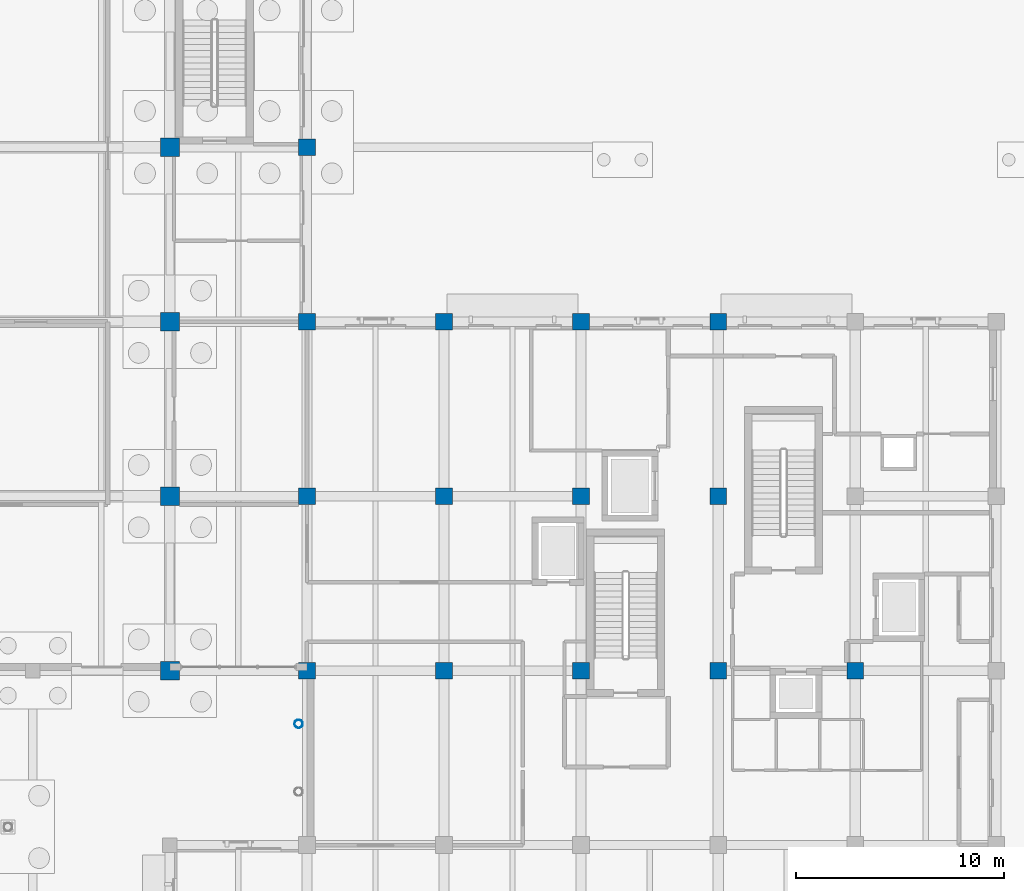
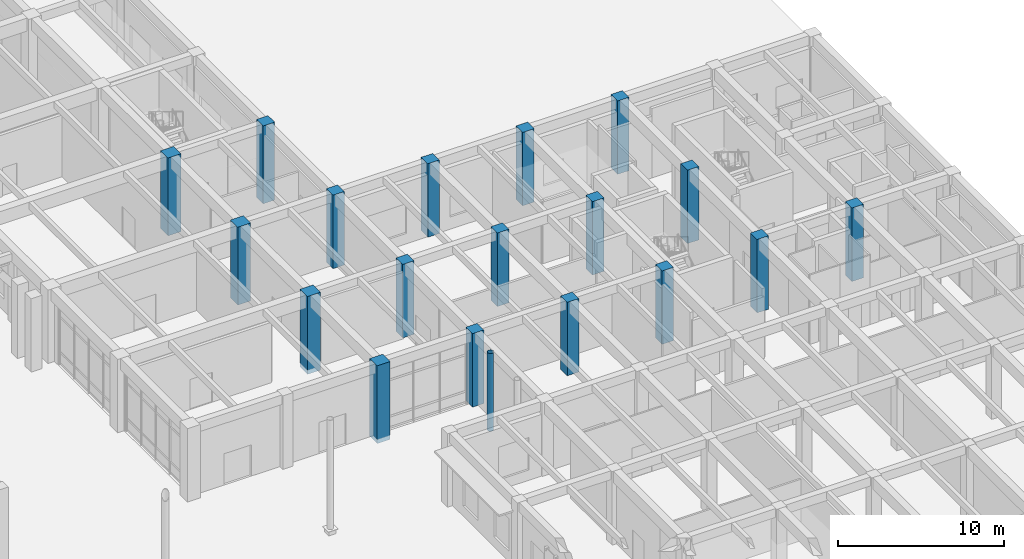
# One storey, part 19 of 82: 19 columns.
"""IFC4 building model written with IfcOpenShell, lengths in metres."""

from ifc_helpers import new_model, si_unit, direction, frame, origin, origin_2d, place, context, subcontext, project, spatial, rectangle, hollow_circle, extrude, material, material_profile, profile_set, type_object, element, save


model = new_model("IFC4")

# Units and contexts
model_context = context("Model", 3, precision=1e-05, world=origin(), true_north=direction((0.0, 1.0)))
body_context = subcontext(model_context, "Body", "Model", "MODEL_VIEW")
ifc_project = project(units=[si_unit("LENGTHUNIT", "METRE"), si_unit("AREAUNIT", "SQUARE_METRE"), si_unit("VOLUMEUNIT", "CUBIC_METRE"), si_unit("PLANEANGLEUNIT", "RADIAN"), si_unit("MASSUNIT", "GRAM", prefix="KILO")], contexts=[model_context])

# Site, building, storey
site_placement = place(None, origin())
site = spatial("IfcSite", under=ifc_project, at=site_placement, CompositionType="ELEMENT")
building_placement = place(site_placement, origin())
building = spatial("IfcBuilding", under=site, at=building_placement, Name="Kolvaren Faculty of Natural Sciences", CompositionType="ELEMENT")
storey_placement = place(building_placement, origin())
storey = spatial("IfcBuildingStorey", under=building, at=storey_placement, Name="L00", CompositionType="ELEMENT", Elevation=0.0)

# Columns
ifc_material_1 = material(Name="Concrete C40/50", Category="concrete")
ifc_material_profile_1 = material_profile(ifc_material_1, rectangle(XDim=0.89990234375, YDim=0.89990234375, at=origin_2d()), Name="RC COL 900x900")
ifc_profile_set_1 = profile_set([ifc_material_profile_1], Name="Concrete C40/50")
column_type_1 = type_object("IfcColumnType", Name="MegaColumn_900x900", PredefinedType="COLUMN", material=ifc_profile_set_1)
for number, where, z_axis, x_axis, name in (
    (1, (132.199951171875, 67.39990234375, -0.320068359375), (0.0, 0.0, 1.0), (1.0, 0.0, 0.0), "L00 column MC-1 at 21/J"),
    (2, (132.199951171875, 75.800048828125, -0.320068359375), (0.0, 0.0, 1.0), (1.0, 0.0, 0.0), "L00 column MC-1 at 21/K"),
    (3, (132.199951171875, 84.199951171875, -0.320068359375), (0.0, 0.0, 1.0), (1.0, 0.0, 0.0), "L00 column MC-1 at 21/L"),
    (4, (132.199951171875, 92.60009765625, -0.320068359375), (0.0, 0.0, 1.0), (1.0, 0.0, 0.0), "L00 column MC-1 at 21/M"),
):
    element("IfcColumn", number, at=place(storey_placement, frame(where, z_axis=z_axis, x_axis=x_axis)), inside=storey, type_object=column_type_1, Name=name, PredefinedType="COLUMN", context=body_context, shape_type="SweptSolid", body=[
        extrude(rectangle(XDim=0.89990234375, YDim=0.89990234375, at=origin_2d()), origin(), (0.0, 0.0, 1.0), 5.719970703125),
    ])
ifc_material_2 = material(Name="Structural steel EN 10210-1 S355J2H (white architectural finish)", Category="steel")
ifc_material_profile_2 = material_profile(ifc_material_2, hollow_circle(Radius=0.203125, WallThickness=0.01416015625, at=origin_2d()), Name="CHS 406.4x14.2")
ifc_profile_set_2 = profile_set([ifc_material_profile_2], Name="Structural steel EN 10210-1 S355J2H (white architectural finish)")
column_type_2 = type_object("IfcColumnType", Name="PortalTreeTrunk_CHS406", PredefinedType="COLUMN", material=ifc_profile_set_2)
column_1_placement = place(storey_placement, frame((138.39990234375, 64.834716796875, -0.320068359375), z_axis=(0.0, 0.0, 1.0), x_axis=(1.0, 0.0, 0.0)))
element("IfcColumn", 5, at=column_1_placement, inside=storey, type_object=column_type_2, Name="Covered street canopy portal column E-N (L00)", PredefinedType="COLUMN", context=body_context, shape_type="SweptSolid", body=[
    extrude(hollow_circle(Radius=0.203125, WallThickness=0.01416015625, at=origin_2d()), origin(), (0.0, 0.0, 1.0), 5.719970703125),
])
ifc_material_profile_3 = material_profile(ifc_material_1, rectangle(XDim=0.800048828125, YDim=0.800048828125, at=origin_2d()), Name="RC COL 800x800")
ifc_profile_set_3 = profile_set([ifc_material_profile_3], Name="Concrete C40/50")
column_type_3 = type_object("IfcColumnType", Name="TowerColumn_800x800", PredefinedType="COLUMN", material=ifc_profile_set_3)
for number, where, z_axis, x_axis, name in (
    (6, (138.800048828125, 67.39990234375, 0.0), (0.0, 0.0, 1.0), (1.0, 0.0, 0.0), "L00 column TC-80 at 22/J"),
    (7, (138.800048828125, 75.800048828125, 0.0), (0.0, 0.0, 1.0), (1.0, 0.0, 0.0), "L00 column TC-80 at 22/K"),
    (8, (138.800048828125, 84.199951171875, 0.0), (0.0, 0.0, 1.0), (1.0, 0.0, 0.0), "L00 column TC-80 at 22/L"),
):
    element("IfcColumn", number, at=place(storey_placement, frame(where, z_axis=z_axis, x_axis=x_axis)), inside=storey, type_object=column_type_3, Name=name, PredefinedType="COLUMN", context=body_context, shape_type="SweptSolid", body=[
        extrude(rectangle(XDim=0.800048828125, YDim=0.800048828125, at=origin_2d()), origin(), (0.0, 0.0, 1.0), 5.39990234375),
    ])
column_2_placement = place(storey_placement, frame((138.800048828125, 92.60009765625, -0.320068359375), z_axis=(0.0, 0.0, 1.0), x_axis=(1.0, 0.0, 0.0)))
element("IfcColumn", 9, at=column_2_placement, inside=storey, type_object=column_type_3, Name="L00 column TC-80 at 22/M", PredefinedType="COLUMN", context=body_context, shape_type="SweptSolid", body=[
    extrude(rectangle(XDim=0.800048828125, YDim=0.800048828125, at=origin_2d()), origin(), (0.0, 0.0, 1.0), 5.719970703125),
])
for number, where, z_axis, x_axis, name in (
    (10, (145.39990234375, 67.39990234375, 0.0), (0.0, 0.0, 1.0), (1.0, 0.0, 0.0), "L00 column TC-80 at 23/J"),
    (11, (145.39990234375, 75.800048828125, 0.0), (0.0, 0.0, 1.0), (1.0, 0.0, 0.0), "L00 column TC-80 at 23/K"),
    (12, (145.39990234375, 84.199951171875, 0.0), (0.0, 0.0, 1.0), (1.0, 0.0, 0.0), "L00 column TC-80 at 23/L"),
    (13, (152.0, 67.39990234375, 0.0), (0.0, 0.0, 1.0), (1.0, 0.0, 0.0), "L00 column TC-80 at 24/J"),
    (14, (152.0, 75.800048828125, 0.0), (0.0, 0.0, 1.0), (1.0, 0.0, 0.0), "L00 column TC-80 at 24/K"),
    (15, (152.0, 84.199951171875, 0.0), (0.0, 0.0, 1.0), (1.0, 0.0, 0.0), "L00 column TC-80 at 24/L"),
    (16, (158.60009765625, 67.39990234375, 0.0), (0.0, 0.0, 1.0), (1.0, 0.0, 0.0), "L00 column TC-80 at 25/J"),
    (17, (158.60009765625, 75.800048828125, 0.0), (0.0, 0.0, 1.0), (1.0, 0.0, 0.0), "L00 column TC-80 at 25/K"),
    (18, (158.60009765625, 84.199951171875, 0.0), (0.0, 0.0, 1.0), (1.0, 0.0, 0.0), "L00 column TC-80 at 25/L"),
    (19, (165.199951171875, 67.39990234375, 0.0), (0.0, 0.0, 1.0), (1.0, 0.0, 0.0), "L00 column TC-80 at 26/J"),
):
    element("IfcColumn", number, at=place(storey_placement, frame(where, z_axis=z_axis, x_axis=x_axis)), inside=storey, type_object=column_type_3, Name=name, PredefinedType="COLUMN", context=body_context, shape_type="SweptSolid", body=[
        extrude(rectangle(XDim=0.800048828125, YDim=0.800048828125, at=origin_2d()), origin(), (0.0, 0.0, 1.0), 5.39990234375),
    ])

save(model, "model.ifc")
